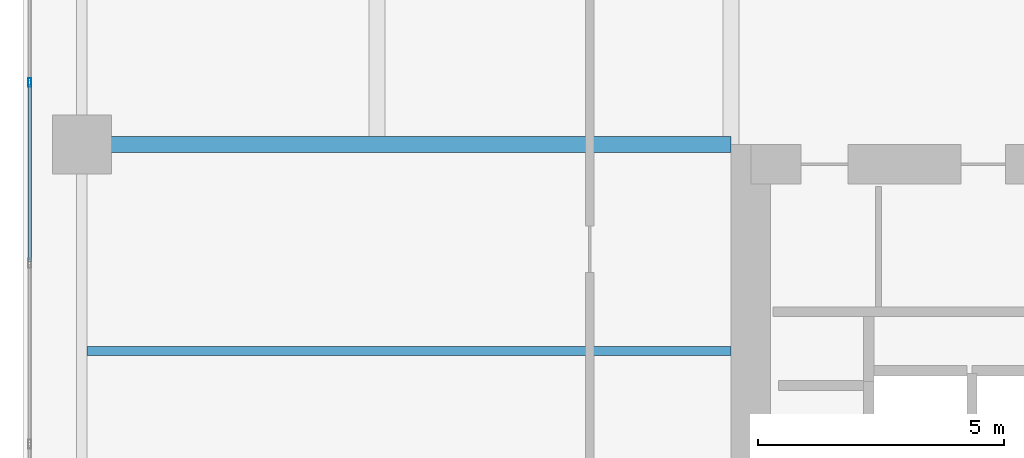
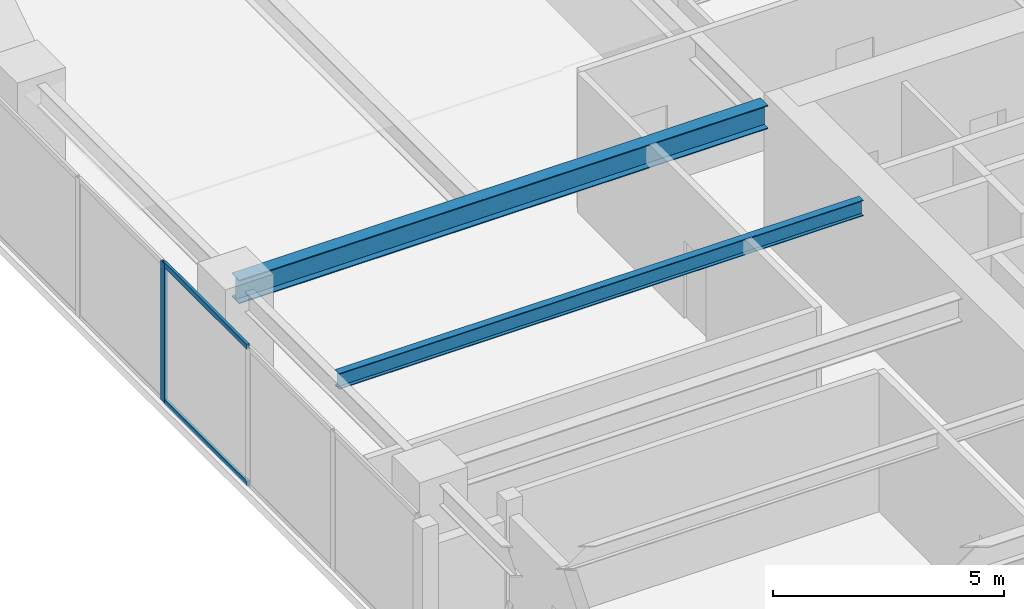
# One storey, part 6 of 30: 3 members, 2 beams, 1 element without a shape of its own.
"""IFC4 building model written with IfcOpenShell, lengths in metres."""

from ifc_helpers import new_model, si_unit, direction, frame, origin, origin_2d, place, context, subcontext, project, spatial, hollow_rectangle, i_section, extrude, material, layer, layer_set, material_profile, profile_set, type_object, element, aggregate, save


model = new_model("IFC4")

# Units and contexts
model_context = context("Model", 3, precision=1e-05, world=origin(), true_north=direction((0.0, 1.0)))
body_context = subcontext(model_context, "Body", "Model", "MODEL_VIEW")
ifc_project = project(units=[si_unit("LENGTHUNIT", "METRE"), si_unit("AREAUNIT", "SQUARE_METRE"), si_unit("VOLUMEUNIT", "CUBIC_METRE"), si_unit("PLANEANGLEUNIT", "RADIAN"), si_unit("MASSUNIT", "GRAM", prefix="KILO")], contexts=[model_context])

# Site, building, storey
site_placement = place(None, origin())
site = spatial("IfcSite", under=ifc_project, at=site_placement, CompositionType="ELEMENT")
building_placement = place(site_placement, origin())
building = spatial("IfcBuilding", under=site, at=building_placement, Name="Kiyonajd Concourse Tower", CompositionType="ELEMENT")
storey_placement = place(building_placement, frame((0.0, 0.0, 174.0)))
storey = spatial("IfcBuildingStorey", under=building, at=storey_placement, Name="L44", CompositionType="ELEMENT", Elevation=174.0)

# Beams
ifc_material_1 = material(Name="Steel ASTM A992 Grade 50", Category="steel")
ifc_material_profile_1 = material_profile(ifc_material_1, i_section(OverallWidth=0.180908203125, OverallDepth=0.4169921875, WebThickness=0.010986328125, FlangeThickness=0.018310546875, at=origin_2d()), Name="W410X85")
ifc_profile_set_1 = profile_set([ifc_material_profile_1], Name="Steel ASTM A992 Grade 50")
beam_type_1 = type_object("IfcBeamType", Name="BM-JST-410", PredefinedType="JOIST", material=ifc_profile_set_1)
beam_1_placement = place(storey_placement, frame((19.306884765625, 40.199951171875, 3.471435546875), z_axis=(1.0, 0.0, 0.0), x_axis=(0.0, 1.0, 0.0)))
element("IfcBeam", 1, at=beam_1_placement, inside=storey, type_object=beam_type_1, Name="L44 West Secondary Floor Joist", PredefinedType="JOIST", context=body_context, shape_type="SweptSolid", body=[
    extrude(i_section(OverallWidth=0.180908203125, OverallDepth=0.4169921875, WebThickness=0.010986328125, FlangeThickness=0.018310546875, at=origin_2d()), origin(), (0.0, 0.0, 1.0), 13.093017578125),
])
ifc_material_profile_2 = material_profile(ifc_material_1, i_section(OverallWidth=0.326904296875, OverallDepth=0.6220703125, WebThickness=0.015380859375, FlangeThickness=0.0244140625, at=origin_2d()), Name="W610X195")
ifc_profile_set_2 = profile_set([ifc_material_profile_2], Name="Steel ASTM A992 Grade 50")
beam_type_2 = type_object("IfcBeamType", Name="BM-TWR-610A", PredefinedType="BEAM", material=ifc_profile_set_2)
beam_2_placement = place(storey_placement, frame((19.199951171875, 44.39990234375, 3.368896484375), z_axis=(1.0, 0.0, 0.0), x_axis=(0.0, 1.0, 0.0)))
element("IfcBeam", 2, at=beam_2_placement, inside=storey, type_object=beam_type_2, Name="L44 West Lease Girder", PredefinedType="BEAM", context=body_context, shape_type="SweptSolid", body=[
    extrude(i_section(OverallWidth=0.326904296875, OverallDepth=0.6220703125, WebThickness=0.015380859375, FlangeThickness=0.0244140625, at=origin_2d()), origin(), (0.0, 0.0, 1.0), 13.199951171875),
])

# Curtain wall, members
ifc_material_2 = material(Name="Thermally Broken Anodised Aluminium", Category="aluminium")
ifc_layer = layer(ifc_material_2, 0.179931640625)
ifc_layer_set = layer_set([ifc_layer], Name="Thermally Broken Anodised Aluminium")
curtain_wall_type = type_object("IfcCurtainWallType", Name="CW-SYS-03", PredefinedType="NOTDEFINED", material=ifc_layer_set)
curtain_wall_placement = place(storey_placement, origin())
curtain_wall = element("IfcCurtainWall", 3, at=curtain_wall_placement, inside=storey, type_object=curtain_wall_type, Name="L44 Unitised Curtain Wall CW3", PredefinedType="NOTDEFINED")
ifc_material_profile_3 = material_profile(ifc_material_2, hollow_rectangle(XDim=0.06494140625, YDim=0.179931640625, WallThickness=0.00390625, at=origin_2d()), Name="MULL-65x180")
ifc_profile_set_3 = profile_set([ifc_material_profile_3], Name="Thermally Broken Anodised Aluminium")
member_type_1 = type_object("IfcMemberType", Name="MB-CW-MULL1", PredefinedType="MULLION", material=ifc_profile_set_3)
member_1_placement = place(storey_placement, frame((18.139892578125, 45.660888671875, 0.0), z_axis=(0.0, 0.0, 1.0), x_axis=(-1.0, 0.0, 0.0)))
member_1 = element("IfcMember", 4, at=member_1_placement, type_object=member_type_1, Name="CW3 mullion 4", PredefinedType="MULLION", context=body_context, shape_type="SweptSolid", body=[
    extrude(hollow_rectangle(XDim=0.06494140625, YDim=0.179931640625, WallThickness=0.00390625, at=origin_2d()), origin(), (0.0, 0.0, 1.0), 3.679931640625),
])
ifc_material_profile_4 = material_profile(ifc_material_2, hollow_rectangle(XDim=0.06494140625, YDim=0.139892578125, WallThickness=0.00390625, at=origin_2d()), Name="TRAN-65x140")
ifc_profile_set_4 = profile_set([ifc_material_profile_4], Name="Thermally Broken Anodised Aluminium")
member_type_2 = type_object("IfcMemberType", Name="MB-CW-TRAN1", PredefinedType="USERDEFINED", material=ifc_profile_set_4)
member_2_placement = place(storey_placement, frame((18.139892578125, 42.016357421875, 0.032470703125), z_axis=(0.0, 1.0, 0.0), x_axis=(-1.0, 0.0, 0.0)))
member_2 = element("IfcMember", 5, at=member_2_placement, type_object=member_type_2, Name="CW3 transom 3.1", ObjectType="TRANSOM", PredefinedType="USERDEFINED", context=body_context, shape_type="SweptSolid", body=[
    extrude(hollow_rectangle(XDim=0.06494140625, YDim=0.139892578125, WallThickness=0.00390625, at=origin_2d()), origin(), (0.0, 0.0, 1.0), 3.612060546875),
])
member_3_placement = place(storey_placement, frame((18.139892578125, 42.016357421875, 3.6474609375), z_axis=(0.0, 1.0, 0.0), x_axis=(-1.0, 0.0, 0.0)))
member_3 = element("IfcMember", 6, at=member_3_placement, type_object=member_type_2, Name="CW3 transom 3.2", ObjectType="TRANSOM", PredefinedType="USERDEFINED", context=body_context, shape_type="SweptSolid", body=[
    extrude(hollow_rectangle(XDim=0.06494140625, YDim=0.139892578125, WallThickness=0.00390625, at=origin_2d()), origin(), (0.0, 0.0, 1.0), 3.612060546875),
])
aggregate(curtain_wall, [member_1, member_2, member_3])

save(model, "model.ifc")
